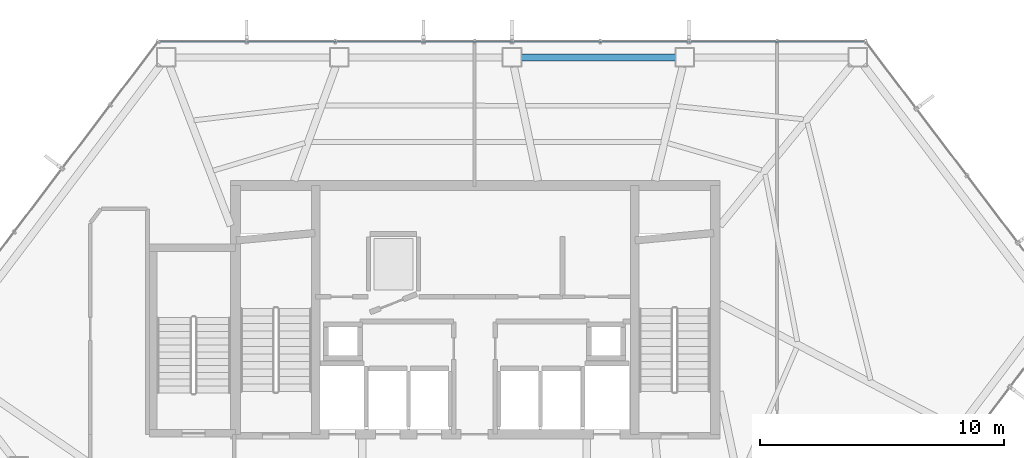
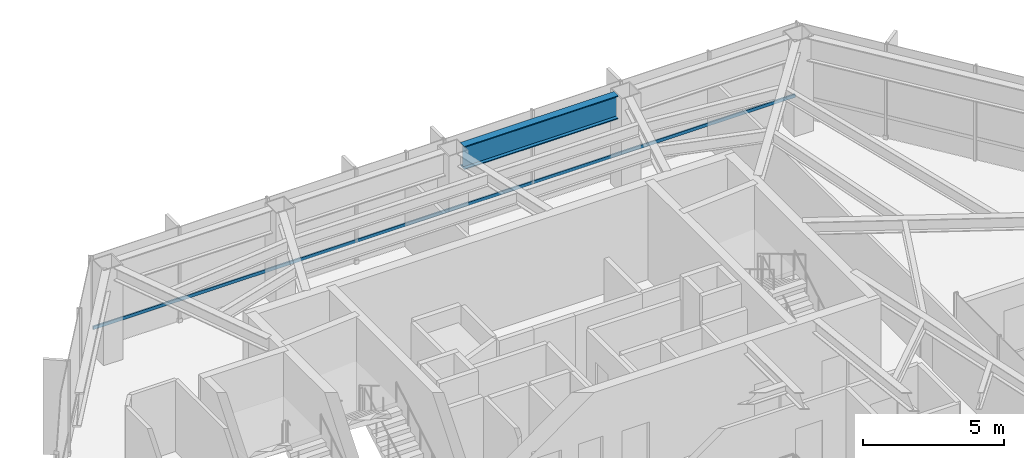
# One storey, part 13 of 27: 1 beam, 1 member, 1 element without a shape of its own.
"""IFC4 building model written with IfcOpenShell, lengths in metres."""

from ifc_helpers import new_model, si_unit, direction, frame, origin, origin_2d, place, context, subcontext, project, spatial, hollow_rectangle, i_section, extrude, material, layer, layer_set, material_profile, profile_set, type_object, element, aggregate, save


model = new_model("IFC4")

# Units and contexts
model_context = context("Model", 3, precision=1e-05, world=origin(), true_north=direction((0.0, 1.0)))
body_context = subcontext(model_context, "Body", "Model", "MODEL_VIEW")
ifc_project = project(units=[si_unit("LENGTHUNIT", "METRE"), si_unit("AREAUNIT", "SQUARE_METRE"), si_unit("VOLUMEUNIT", "CUBIC_METRE"), si_unit("PLANEANGLEUNIT", "RADIAN"), si_unit("MASSUNIT", "GRAM", prefix="KILO")], contexts=[model_context])

# Site, building, storey
site_placement = place(None, origin())
site = spatial("IfcSite", under=ifc_project, at=site_placement, CompositionType="ELEMENT")
building_placement = place(site_placement, origin())
building = spatial("IfcBuilding", under=site, at=building_placement, Name="Zarrinselat Tower", CompositionType="ELEMENT")
storey_placement = place(building_placement, frame((0.0, 0.0, 114.580078125)))
storey = spatial("IfcBuildingStorey", under=building, at=storey_placement, Name="L27", CompositionType="ELEMENT", Elevation=114.580078125)

# Beam
ifc_material_1 = material(Name="Steel S460M", Category="steel")
ifc_material_profile_1 = material_profile(ifc_material_1, i_section(OverallWidth=0.302001953125, OverallDepth=1.008056640625, WebThickness=0.02099609375, FlangeThickness=0.0400390625, at=origin_2d()), Name="HEM 1000")
ifc_profile_set_1 = profile_set([ifc_material_profile_1], Name="Steel S460M")
beam_type = type_object("IfcBeamType", Name="BM-HEM1000", PredefinedType="BEAM", material=ifc_profile_set_1)
beam_placement = place(storey_placement, frame((40.3232421875, 48.6943359375, 3.615966796875), z_axis=(1.0, 0.0, 0.0), x_axis=(0.0, 1.0, 0.0)))
element("IfcBeam", 1, at=beam_placement, inside=storey, type_object=beam_type, Name="L27 Perimeter Spandrel Girder SP02", PredefinedType="BEAM", context=body_context, shape_type="SweptSolid", body=[
    extrude(i_section(OverallWidth=0.302001953125, OverallDepth=1.008056640625, WebThickness=0.02099609375, FlangeThickness=0.0400390625, at=origin_2d()), origin(), (0.0, 0.0, 1.0), 6.30810546875),
])

# Curtain wall, member
ifc_material_2 = material(Name="Extruded Aluminium Alloy EN AW-6063 T6", Category="aluminium")
ifc_layer = layer(ifc_material_2, 0.195068359375)
ifc_layer_set = layer_set([ifc_layer], Name="Extruded Aluminium Alloy EN AW-6063 T6")
curtain_wall_type = type_object("IfcCurtainWallType", Name="CWS-GDN", PredefinedType="NOTDEFINED", material=ifc_layer_set)
curtain_wall_placement = place(storey_placement, origin())
curtain_wall = element("IfcCurtainWall", 2, at=curtain_wall_placement, inside=storey, type_object=curtain_wall_type, Name="L27 Unitised Curtain Wall CW-L27-E04", PredefinedType="NOTDEFINED")
ifc_material_3 = material(Name="Extruded Aluminium Alloy EN AW-6063 T6", Category="aluminium")
ifc_material_profile_2 = material_profile(ifc_material_3, hollow_rectangle(XDim=0.06005859375, YDim=0.139892578125, WallThickness=0.00390625, at=origin_2d()), Name="RHS 140x60x4")
ifc_profile_set_2 = profile_set([ifc_material_profile_2], Name="Extruded Aluminium Alloy EN AW-6063 T6")
member_type = type_object("IfcMemberType", Name="MEM-CW-TRN", PredefinedType="USERDEFINED", material=ifc_profile_set_2)
member_placement = place(storey_placement, frame((25.534423828125, 49.344482421875, 0.949951171875), z_axis=(1.0, 0.0, 0.0), x_axis=(0.0, 1.0, 0.0)))
member = element("IfcMember", 3, at=member_placement, type_object=member_type, Name="CW-L27-E04 Transom 1", ObjectType="TRANSOM", PredefinedType="USERDEFINED", context=body_context, shape_type="SweptSolid", body=[
    extrude(hollow_rectangle(XDim=0.06005859375, YDim=0.139892578125, WallThickness=0.00390625, at=origin_2d()), origin(), (0.0, 0.0, 1.0), 28.8017578125),
])
aggregate(curtain_wall, [member])

save(model, "model.ifc")
